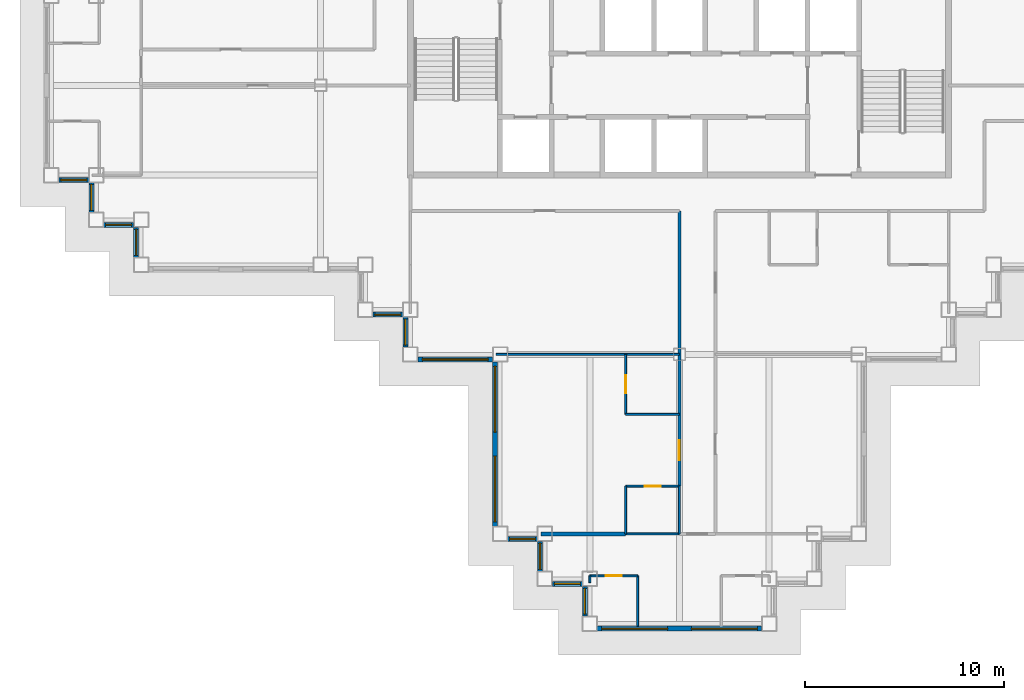
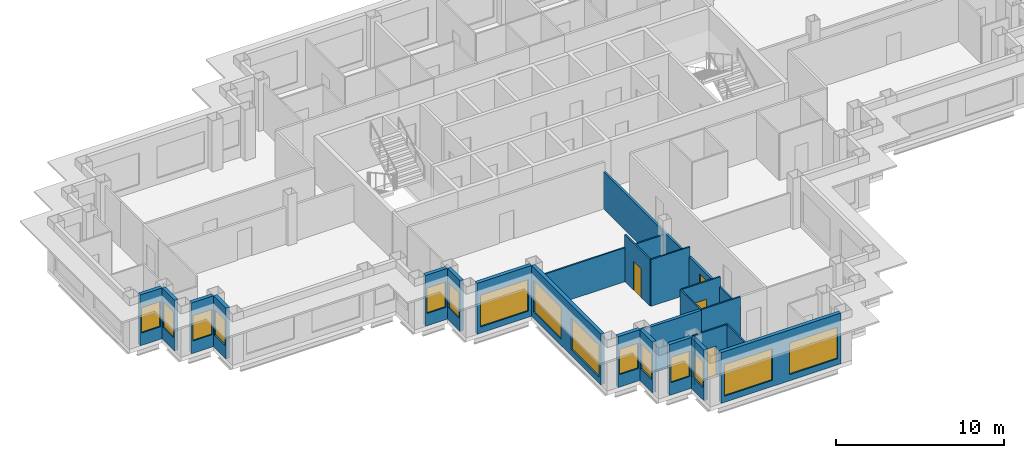
# One storey, part 3 of 13: 25 walls, 15 windows, 4 doors, 19 openings.
"""IFC4 building model written with IfcOpenShell, lengths in metres."""

from ifc_helpers import new_model, si_unit, direction, frame, frame_2d, origin, place, context, subcontext, project, spatial, rectangle, extrude, material, layer, layer_set, type_object, element, fill, save


model = new_model("IFC4")

# Units and contexts
model_context = context("Model", 3, precision=1e-05, world=origin(), true_north=direction((0.0, 1.0)))
body_context = subcontext(model_context, "Body", "Model", "MODEL_VIEW")
ifc_project = project(units=[si_unit("LENGTHUNIT", "METRE"), si_unit("AREAUNIT", "SQUARE_METRE"), si_unit("VOLUMEUNIT", "CUBIC_METRE"), si_unit("PLANEANGLEUNIT", "RADIAN"), si_unit("MASSUNIT", "GRAM", prefix="KILO")], contexts=[model_context])

# Site, building, storey
site_placement = place(None, origin())
site = spatial("IfcSite", under=ifc_project, at=site_placement, CompositionType="ELEMENT")
building_placement = place(site_placement, origin())
building = spatial("IfcBuilding", under=site, at=building_placement, Name="Caravel Reach Hotel and Residences", CompositionType="ELEMENT")
storey_placement = place(building_placement, frame((0.0, 0.0, 169.10009765625)))
storey = spatial("IfcBuildingStorey", under=building, at=storey_placement, Name="L42", CompositionType="ELEMENT", Elevation=169.10009765625)

# Wall, opening, door
ifc_material_1 = material(Name="Gypsum board on steel stud", Category="steel")
ifc_layer_1 = layer(ifc_material_1, 0.10009765625)
ifc_layer_set_1 = layer_set([ifc_layer_1], Name="Bathroom pod wall 100 mm")
wall_type_1 = type_object("IfcWallType", Name="Bathroom pod wall 100 mm", PredefinedType="PARTITIONING", material=ifc_layer_set_1)
wall_1_placement = place(storey_placement, frame((27.0, 2.39990234375, 0.0), z_axis=(0.0, 0.0, 1.0), x_axis=(1.0, 0.0, 0.0)))
wall_1 = element("IfcWall", 1, at=wall_1_placement, inside=storey, type_object=wall_type_1, Name="L42 wall w079", PredefinedType="PARTITIONING", context=body_context, shape_type="SweptSolid", body=[
    extrude(rectangle(XDim=2.39990234375, YDim=0.10009765625, at=frame_2d((1.199951171875, 0.0))), origin(), (0.0, 0.0, 1.0), 3.39990234375),
])
opening_1_placement = place(wall_1_placement, frame((0.800048828125, 0.0, 0.0)))
opening_1 = element("IfcOpeningElement", 2, at=opening_1_placement, cuts=wall_1, Name="Opening D42-047", PredefinedType="OPENING", context=body_context, shape_type="SweptSolid", body=[
    extrude(rectangle(XDim=0.800048828125, YDim=2.10009765625, at=frame_2d((0.39990234375, 1.050048828125))), frame((0.0, 0.06005859375, 0.0), z_axis=(0.0, -1.0, 0.0), x_axis=(1.0, 0.0, 0.0)), (0.0, 0.0, 1.0), 0.1201171875),
])
ifc_material_2 = material(Name="Timber and steel door leaf", Category="steel")
door_type_1 = type_object("IfcDoorType", Name="Bathroom door 800 x 2100", OperationType="SINGLE_SWING_LEFT", PredefinedType="DOOR", material=ifc_material_2)
door_1_placement = place(opening_1_placement, origin())
door_1 = element("IfcDoor", 3, at=door_1_placement, inside=storey, type_object=door_type_1, Name="door D42-047", OperationType="SINGLE_SWING_LEFT", OverallHeight=2.10009765625, OverallWidth=0.800048828125, PredefinedType="DOOR", context=body_context, shape_type="SweptSolid", body=[
    extrude(rectangle(XDim=0.800048828125, YDim=2.10009765625, at=frame_2d((0.39990234375, 1.050048828125))), frame((0.0, 0.02490234375, 0.0), z_axis=(0.0, -1.0, 0.0), x_axis=(1.0, 0.0, 0.0)), (0.0, 0.0, 1.0), 0.050048828125),
])
fill(opening_1, door_1)

# Wall
wall_2_placement = place(storey_placement, frame((28.800048828125, 4.5, 0.0), z_axis=(0.0, 0.0, 1.0), x_axis=(1.0, 0.0, 0.0)))
element("IfcWall", 4, at=wall_2_placement, inside=storey, type_object=wall_type_1, Name="L42 wall w089", PredefinedType="PARTITIONING", context=body_context, shape_type="SweptSolid", body=[
    extrude(rectangle(XDim=2.699951171875, YDim=0.10009765625, at=frame_2d((1.35009765625, 0.0))), origin(), (0.0, 0.0, 1.0), 3.39990234375),
])

# Wall, opening, door
wall_3_placement = place(storey_placement, frame((28.800048828125, 6.89990234375, 0.0), z_axis=(0.0, 0.0, 1.0), x_axis=(1.0, 0.0, 0.0)))
wall_3 = element("IfcWall", 5, at=wall_3_placement, inside=storey, type_object=wall_type_1, Name="L42 wall w090", PredefinedType="PARTITIONING", context=body_context, shape_type="SweptSolid", body=[
    extrude(rectangle(XDim=2.699951171875, YDim=0.10009765625, at=frame_2d((1.35009765625, 0.0))), origin(), (0.0, 0.0, 1.0), 3.39990234375),
])
opening_2_placement = place(wall_3_placement, frame((0.949951171875, 0.0, 0.0)))
opening_2 = element("IfcOpeningElement", 6, at=opening_2_placement, cuts=wall_3, Name="Opening D42-037", PredefinedType="OPENING", context=body_context, shape_type="SweptSolid", body=[
    extrude(rectangle(XDim=0.800048828125, YDim=2.10009765625, at=frame_2d((0.39990234375, 1.050048828125))), frame((0.0, 0.06005859375, 0.0), z_axis=(0.0, -1.0, 0.0), x_axis=(1.0, 0.0, 0.0)), (0.0, 0.0, 1.0), 0.1201171875),
])
door_2_placement = place(opening_2_placement, origin())
door_2 = element("IfcDoor", 7, at=door_2_placement, inside=storey, type_object=door_type_1, Name="door D42-037", OperationType="SINGLE_SWING_LEFT", OverallHeight=2.10009765625, OverallWidth=0.800048828125, PredefinedType="DOOR", context=body_context, shape_type="SweptSolid", body=[
    extrude(rectangle(XDim=0.800048828125, YDim=2.10009765625, at=frame_2d((0.39990234375, 1.050048828125))), frame((0.0, 0.02490234375, 0.0), z_axis=(0.0, -1.0, 0.0), x_axis=(1.0, 0.0, 0.0)), (0.0, 0.0, 1.0), 0.050048828125),
])
fill(opening_2, door_2)

# Walls
wall_4_placement = place(storey_placement, frame((27.0, 2.06005859375, 0.0), z_axis=(0.0, 0.0, 1.0), x_axis=(0.0, 1.0, 0.0)))
element("IfcWall", 8, at=wall_4_placement, inside=storey, type_object=wall_type_1, Name="L42 wall w094", PredefinedType="PARTITIONING", context=body_context, shape_type="SweptSolid", body=[
    extrude(rectangle(XDim=0.33984375, YDim=0.10009765625, at=frame_2d((0.169921875, 0.0))), origin(), (0.0, 0.0, 1.0), 3.39990234375),
])
wall_5_placement = place(storey_placement, frame((28.800048828125, 4.5, 0.0), z_axis=(0.0, 0.0, 1.0), x_axis=(0.0, 1.0, 0.0)))
element("IfcWall", 9, at=wall_5_placement, inside=storey, type_object=wall_type_1, Name="L42 wall w095", PredefinedType="PARTITIONING", context=body_context, shape_type="SweptSolid", body=[
    extrude(rectangle(XDim=2.39990234375, YDim=0.10009765625, at=frame_2d((1.199951171875, 0.0))), origin(), (0.0, 0.0, 1.0), 3.39990234375),
])
wall_6_placement = place(storey_placement, frame((29.39990234375, -0.125, 0.0), z_axis=(0.0, 0.0, 1.0), x_axis=(0.0, 1.0, 0.0)))
element("IfcWall", 10, at=wall_6_placement, inside=storey, type_object=wall_type_1, Name="L42 wall w096", PredefinedType="PARTITIONING", context=body_context, shape_type="SweptSolid", body=[
    extrude(rectangle(XDim=2.52490234375, YDim=0.10009765625, at=frame_2d((1.262451171875, 0.0))), origin(), (0.0, 0.0, 1.0), 3.39990234375),
])
wall_7_placement = place(storey_placement, frame((31.5, 4.5, 0.0), z_axis=(0.0, 0.0, 1.0), x_axis=(0.0, 1.0, 0.0)))
element("IfcWall", 11, at=wall_7_placement, inside=storey, type_object=wall_type_1, Name="L42 wall w097", PredefinedType="PARTITIONING", context=body_context, shape_type="SweptSolid", body=[
    extrude(rectangle(XDim=2.39990234375, YDim=0.10009765625, at=frame_2d((1.199951171875, 0.0))), origin(), (0.0, 0.0, 1.0), 2.679931640625),
])

# Wall, opening, door
ifc_material_3 = material(Name="Gypsum board on steel stud, fire-rated", Category="steel")
ifc_layer_2 = layer(ifc_material_3, 0.14990234375)
ifc_layer_set_2 = layer_set([ifc_layer_2], Name="Corridor wall 150 mm EI 60")
wall_type_2 = type_object("IfcWallType", Name="Corridor wall 150 mm EI 60", PredefinedType="PARTITIONING", material=ifc_layer_set_2)
wall_8_placement = place(storey_placement, frame((31.5, 6.89990234375, 0.0), z_axis=(0.0, 0.0, 1.0), x_axis=(0.0, 1.0, 0.0)))
wall_8 = element("IfcWall", 12, at=wall_8_placement, inside=storey, type_object=wall_type_2, Name="L42 wall w022", PredefinedType="PARTITIONING", context=body_context, shape_type="SweptSolid", body=[
    extrude(rectangle(XDim=13.800048828125, YDim=0.14990234375, at=frame_2d((6.89990234375, 0.0))), origin(), (0.0, 0.0, 1.0), 2.679931640625),
])
opening_3_placement = place(wall_8_placement, frame((1.300048828125, 0.0, 0.0)))
opening_3 = element("IfcOpeningElement", 13, at=opening_3_placement, cuts=wall_8, Name="Opening D42-036", PredefinedType="OPENING", context=body_context, shape_type="SweptSolid", body=[
    extrude(rectangle(XDim=1.0, YDim=2.199951171875, at=frame_2d((0.5, 1.10009765625))), frame((0.0, 0.0849609375, 0.0), z_axis=(0.0, -1.0, 0.0), x_axis=(1.0, 0.0, 0.0)), (0.0, 0.0, 1.0), 0.169921875),
])
ifc_material_4 = material(Name="Steel fire door leaf", Category="steel")
door_type_2 = type_object("IfcDoorType", Name="Flat entrance door 1000 x 2200 EI 60", OperationType="SINGLE_SWING_LEFT", PredefinedType="DOOR", material=ifc_material_4)
door_3_placement = place(opening_3_placement, origin())
door_3 = element("IfcDoor", 14, at=door_3_placement, inside=storey, type_object=door_type_2, Name="door D42-036", OperationType="SINGLE_SWING_LEFT", OverallHeight=2.199951171875, OverallWidth=1.0, PredefinedType="DOOR", context=body_context, shape_type="SweptSolid", body=[
    extrude(rectangle(XDim=1.0, YDim=2.199951171875, at=frame_2d((0.5, 1.10009765625))), frame((0.0, 0.02490234375, 0.0), z_axis=(0.0, -1.0, 0.0), x_axis=(1.0, 0.0, 0.0)), (0.0, 0.0, 1.0), 0.050048828125),
])
fill(opening_3, door_3)

# Wall, opening, window
ifc_material_5 = material(Name="Insulated rainscreen wall, aluminium cladding", Category="aluminium")
ifc_layer_3 = layer(ifc_material_5, 0.25)
ifc_layer_set_3 = layer_set([ifc_layer_3], Name="EW1 Tower rainscreen wall")
wall_type_3 = type_object("IfcWallType", Name="EW1 Tower rainscreen wall", PredefinedType="SOLIDWALL", material=ifc_layer_set_3)
wall_9_placement = place(storey_placement, frame((22.875, 4.25, 0.0), z_axis=(0.0, 0.0, 1.0), x_axis=(1.0, 0.0, 0.0)))
wall_9 = element("IfcWall", 15, at=wall_9_placement, inside=storey, type_object=wall_type_3, Name="External wall L42 S1.1", PredefinedType="SOLIDWALL", context=body_context, shape_type="SweptSolid", body=[
    extrude(rectangle(XDim=1.5, YDim=0.25, at=frame_2d((0.75, 0.0))), origin(), (0.0, 0.0, 1.0), 3.699951171875),
])
opening_4_placement = place(wall_9_placement, frame((0.10009765625, 0.0, 0.89990234375)))
opening_4 = element("IfcOpeningElement", 16, at=opening_4_placement, cuts=wall_9, Name="Opening WN16", PredefinedType="OPENING", context=body_context, shape_type="SweptSolid", body=[
    extrude(rectangle(XDim=1.300048828125, YDim=1.85009765625, at=frame_2d((0.64990234375, 0.925048828125))), frame((0.0, 0.135009765625, 0.0), z_axis=(0.0, -1.0, 0.0), x_axis=(1.0, 0.0, 0.0)), (0.0, 0.0, 1.0), 0.27001953125),
])
ifc_material_6 = material(Name="Dark low-e glazing in black aluminium frame", Category="aluminium")
window_type_1 = type_object("IfcWindowType", Name="Residence bedroom window 1300 x 1850", PartitioningType="SINGLE_PANEL", PredefinedType="WINDOW", material=ifc_material_6)
window_1_placement = place(opening_4_placement, origin())
window_1 = element("IfcWindow", 17, at=window_1_placement, inside=storey, type_object=window_type_1, Name="Window L42 S1.1.1", OverallHeight=1.85009765625, OverallWidth=1.300048828125, PartitioningType="SINGLE_PANEL", PredefinedType="WINDOW", context=body_context, shape_type="SweptSolid", body=[
    extrude(rectangle(XDim=1.300048828125, YDim=1.85009765625, at=frame_2d((0.64990234375, 0.925048828125))), frame((0.0, 0.030029296875, 0.0), z_axis=(0.0, -1.0, 0.0), x_axis=(1.0, 0.0, 0.0)), (0.0, 0.0, 1.0), 0.06005859375),
])
fill(opening_4, window_1)

wall_10_placement = place(storey_placement, frame((24.5, 4.125, 0.0), z_axis=(0.0, 0.0, 1.0), x_axis=(0.0, -1.0, 0.0)))
wall_10 = element("IfcWall", 18, at=wall_10_placement, inside=storey, type_object=wall_type_3, Name="External wall L42 W2.1", PredefinedType="SOLIDWALL", context=body_context, shape_type="SweptSolid", body=[
    extrude(rectangle(XDim=1.5, YDim=0.25, at=frame_2d((0.75, 0.0))), origin(), (0.0, 0.0, 1.0), 3.699951171875),
])
opening_5_placement = place(wall_10_placement, frame((0.10009765625, 0.0, 0.89990234375)))
opening_5 = element("IfcOpeningElement", 19, at=opening_5_placement, cuts=wall_10, Name="Opening WN16", PredefinedType="OPENING", context=body_context, shape_type="SweptSolid", body=[
    extrude(rectangle(XDim=1.300048828125, YDim=1.85009765625, at=frame_2d((0.64990234375, 0.925048828125))), frame((0.0, 0.135009765625, 0.0), z_axis=(0.0, -1.0, 0.0), x_axis=(1.0, 0.0, 0.0)), (0.0, 0.0, 1.0), 0.27001953125),
])
window_2_placement = place(opening_5_placement, origin())
window_2 = element("IfcWindow", 20, at=window_2_placement, inside=storey, type_object=window_type_1, Name="Window L42 W2.1.1", OverallHeight=1.85009765625, OverallWidth=1.300048828125, PartitioningType="SINGLE_PANEL", PredefinedType="WINDOW", context=body_context, shape_type="SweptSolid", body=[
    extrude(rectangle(XDim=1.300048828125, YDim=1.85009765625, at=frame_2d((0.64990234375, 0.925048828125))), frame((0.0, 0.030029296875, 0.0), z_axis=(0.0, -1.0, 0.0), x_axis=(1.0, 0.0, 0.0)), (0.0, 0.0, 1.0), 0.06005859375),
])
fill(opening_5, window_2)

wall_11_placement = place(storey_placement, frame((25.125, 2.0, 0.0), z_axis=(0.0, 0.0, 1.0), x_axis=(1.0, 0.0, 0.0)))
wall_11 = element("IfcWall", 21, at=wall_11_placement, inside=storey, type_object=wall_type_3, Name="External wall L42 S3.1", PredefinedType="SOLIDWALL", context=body_context, shape_type="SweptSolid", body=[
    extrude(rectangle(XDim=1.5, YDim=0.25, at=frame_2d((0.75, 0.0))), origin(), (0.0, 0.0, 1.0), 3.699951171875),
])
opening_6_placement = place(wall_11_placement, frame((0.10009765625, 0.0, 0.89990234375)))
opening_6 = element("IfcOpeningElement", 22, at=opening_6_placement, cuts=wall_11, Name="Opening WN16", PredefinedType="OPENING", context=body_context, shape_type="SweptSolid", body=[
    extrude(rectangle(XDim=1.300048828125, YDim=1.85009765625, at=frame_2d((0.64990234375, 0.925048828125))), frame((0.0, 0.135009765625, 0.0), z_axis=(0.0, -1.0, 0.0), x_axis=(1.0, 0.0, 0.0)), (0.0, 0.0, 1.0), 0.27001953125),
])
window_3_placement = place(opening_6_placement, origin())
window_3 = element("IfcWindow", 23, at=window_3_placement, inside=storey, type_object=window_type_1, Name="Window L42 S3.1.1", OverallHeight=1.85009765625, OverallWidth=1.300048828125, PartitioningType="SINGLE_PANEL", PredefinedType="WINDOW", context=body_context, shape_type="SweptSolid", body=[
    extrude(rectangle(XDim=1.300048828125, YDim=1.85009765625, at=frame_2d((0.64990234375, 0.925048828125))), frame((0.0, 0.030029296875, 0.0), z_axis=(0.0, -1.0, 0.0), x_axis=(1.0, 0.0, 0.0)), (0.0, 0.0, 1.0), 0.06005859375),
])
fill(opening_6, window_3)

wall_12_placement = place(storey_placement, frame((26.75, 1.875, 0.0), z_axis=(0.0, 0.0, 1.0), x_axis=(0.0, -1.0, 0.0)))
wall_12 = element("IfcWall", 24, at=wall_12_placement, inside=storey, type_object=wall_type_3, Name="External wall L42 W4.1", PredefinedType="SOLIDWALL", context=body_context, shape_type="SweptSolid", body=[
    extrude(rectangle(XDim=1.5, YDim=0.25, at=frame_2d((0.75, 0.0))), origin(), (0.0, 0.0, 1.0), 3.699951171875),
])
opening_7_placement = place(wall_12_placement, frame((0.10009765625, 0.0, 0.89990234375)))
opening_7 = element("IfcOpeningElement", 25, at=opening_7_placement, cuts=wall_12, Name="Opening WN16", PredefinedType="OPENING", context=body_context, shape_type="SweptSolid", body=[
    extrude(rectangle(XDim=1.300048828125, YDim=1.85009765625, at=frame_2d((0.64990234375, 0.925048828125))), frame((0.0, 0.135009765625, 0.0), z_axis=(0.0, -1.0, 0.0), x_axis=(1.0, 0.0, 0.0)), (0.0, 0.0, 1.0), 0.27001953125),
])
window_4_placement = place(opening_7_placement, origin())
window_4 = element("IfcWindow", 26, at=window_4_placement, inside=storey, type_object=window_type_1, Name="Window L42 W4.1.1", OverallHeight=1.85009765625, OverallWidth=1.300048828125, PartitioningType="SINGLE_PANEL", PredefinedType="WINDOW", context=body_context, shape_type="SweptSolid", body=[
    extrude(rectangle(XDim=1.300048828125, YDim=1.85009765625, at=frame_2d((0.64990234375, 0.925048828125))), frame((0.0, 0.030029296875, 0.0), z_axis=(0.0, -1.0, 0.0), x_axis=(1.0, 0.0, 0.0)), (0.0, 0.0, 1.0), 0.06005859375),
])
fill(opening_7, window_4)

# Wall, openings, windows
wall_13_placement = place(storey_placement, frame((27.375, -0.25, 0.0), z_axis=(0.0, 0.0, 1.0), x_axis=(1.0, 0.0, 0.0)))
wall_13 = element("IfcWall", 27, at=wall_13_placement, inside=storey, type_object=wall_type_3, Name="External wall L42 S5.1", PredefinedType="SOLIDWALL", context=body_context, shape_type="SweptSolid", body=[
    extrude(rectangle(XDim=8.25, YDim=0.25, at=frame_2d((4.125, 0.0))), origin(), (0.0, 0.0, 1.0), 3.699951171875),
])
opening_8_placement = place(wall_13_placement, frame((0.22509765625, 0.0, 0.449951171875)))
opening_8 = element("IfcOpeningElement", 28, at=opening_8_placement, cuts=wall_13, Name="Opening WN15", PredefinedType="OPENING", context=body_context, shape_type="SweptSolid", body=[
    extrude(rectangle(XDim=3.300048828125, YDim=2.300048828125, at=frame_2d((1.64990234375, 1.14990234375))), frame((0.0, 0.135009765625, 0.0), z_axis=(0.0, -1.0, 0.0), x_axis=(1.0, 0.0, 0.0)), (0.0, 0.0, 1.0), 0.27001953125),
])
opening_9_placement = place(wall_13_placement, frame((4.72509765625, 0.0, 0.449951171875)))
opening_9 = element("IfcOpeningElement", 29, at=opening_9_placement, cuts=wall_13, Name="Opening WN15", PredefinedType="OPENING", context=body_context, shape_type="SweptSolid", body=[
    extrude(rectangle(XDim=3.300048828125, YDim=2.300048828125, at=frame_2d((1.64990234375, 1.14990234375))), frame((0.0, 0.135009765625, 0.0), z_axis=(0.0, -1.0, 0.0), x_axis=(1.0, 0.0, 0.0)), (0.0, 0.0, 1.0), 0.27001953125),
])
ifc_material_7 = material(Name="Dark low-e glazing in black aluminium frame", Category="aluminium")
window_type_2 = type_object("IfcWindowType", Name="Residence living window 3300 x 2300", PartitioningType="SINGLE_PANEL", PredefinedType="WINDOW", material=ifc_material_7)
window_5_placement = place(opening_8_placement, origin())
window_5 = element("IfcWindow", 30, at=window_5_placement, inside=storey, type_object=window_type_2, Name="Window L42 S5.1.1", OverallHeight=2.300048828125, OverallWidth=3.300048828125, PartitioningType="SINGLE_PANEL", PredefinedType="WINDOW", context=body_context, shape_type="SweptSolid", body=[
    extrude(rectangle(XDim=3.300048828125, YDim=2.300048828125, at=frame_2d((1.64990234375, 1.14990234375))), frame((0.0, 0.030029296875, 0.0), z_axis=(0.0, -1.0, 0.0), x_axis=(1.0, 0.0, 0.0)), (0.0, 0.0, 1.0), 0.06005859375),
])
fill(opening_8, window_5)
window_6_placement = place(opening_9_placement, origin())
window_6 = element("IfcWindow", 31, at=window_6_placement, inside=storey, type_object=window_type_2, Name="Window L42 S5.1.2", OverallHeight=2.300048828125, OverallWidth=3.300048828125, PartitioningType="SINGLE_PANEL", PredefinedType="WINDOW", context=body_context, shape_type="SweptSolid", body=[
    extrude(rectangle(XDim=3.300048828125, YDim=2.300048828125, at=frame_2d((1.64990234375, 1.14990234375))), frame((0.0, 0.030029296875, 0.0), z_axis=(0.0, -1.0, 0.0), x_axis=(1.0, 0.0, 0.0)), (0.0, 0.0, 1.0), 0.06005859375),
])
fill(opening_9, window_6)

# Wall, opening, window
wall_14_placement = place(storey_placement, frame((0.375, 22.25, 0.0), z_axis=(0.0, 0.0, 1.0), x_axis=(1.0, 0.0, 0.0)))
wall_14 = element("IfcWall", 32, at=wall_14_placement, inside=storey, type_object=wall_type_3, Name="External wall L42 S39.1", PredefinedType="SOLIDWALL", context=body_context, shape_type="SweptSolid", body=[
    extrude(rectangle(XDim=1.5, YDim=0.25, at=frame_2d((0.75, 0.0))), origin(), (0.0, 0.0, 1.0), 3.699951171875),
])
opening_10_placement = place(wall_14_placement, frame((0.10009765625, 0.0, 0.89990234375)))
opening_10 = element("IfcOpeningElement", 33, at=opening_10_placement, cuts=wall_14, Name="Opening WN16", PredefinedType="OPENING", context=body_context, shape_type="SweptSolid", body=[
    extrude(rectangle(XDim=1.300048828125, YDim=1.85009765625, at=frame_2d((0.64990234375, 0.925048828125))), frame((0.0, 0.135009765625, 0.0), z_axis=(0.0, -1.0, 0.0), x_axis=(1.0, 0.0, 0.0)), (0.0, 0.0, 1.0), 0.27001953125),
])
window_7_placement = place(opening_10_placement, origin())
window_7 = element("IfcWindow", 34, at=window_7_placement, inside=storey, type_object=window_type_1, Name="Window L42 S39.1.1", OverallHeight=1.85009765625, OverallWidth=1.300048828125, PartitioningType="SINGLE_PANEL", PredefinedType="WINDOW", context=body_context, shape_type="SweptSolid", body=[
    extrude(rectangle(XDim=1.300048828125, YDim=1.85009765625, at=frame_2d((0.64990234375, 0.925048828125))), frame((0.0, 0.030029296875, 0.0), z_axis=(0.0, -1.0, 0.0), x_axis=(1.0, 0.0, 0.0)), (0.0, 0.0, 1.0), 0.06005859375),
])
fill(opening_10, window_7)

wall_15_placement = place(storey_placement, frame((2.0, 22.125, 0.0), z_axis=(0.0, 0.0, 1.0), x_axis=(0.0, -1.0, 0.0)))
wall_15 = element("IfcWall", 35, at=wall_15_placement, inside=storey, type_object=wall_type_3, Name="External wall L42 W40.1", PredefinedType="SOLIDWALL", context=body_context, shape_type="SweptSolid", body=[
    extrude(rectangle(XDim=1.5, YDim=0.25, at=frame_2d((0.75, 0.0))), origin(), (0.0, 0.0, 1.0), 3.699951171875),
])
opening_11_placement = place(wall_15_placement, frame((0.10009765625, 0.0, 0.89990234375)))
opening_11 = element("IfcOpeningElement", 36, at=opening_11_placement, cuts=wall_15, Name="Opening WN16", PredefinedType="OPENING", context=body_context, shape_type="SweptSolid", body=[
    extrude(rectangle(XDim=1.300048828125, YDim=1.85009765625, at=frame_2d((0.64990234375, 0.925048828125))), frame((0.0, 0.135009765625, 0.0), z_axis=(0.0, -1.0, 0.0), x_axis=(1.0, 0.0, 0.0)), (0.0, 0.0, 1.0), 0.27001953125),
])
window_8_placement = place(opening_11_placement, origin())
window_8 = element("IfcWindow", 37, at=window_8_placement, inside=storey, type_object=window_type_1, Name="Window L42 W40.1.1", OverallHeight=1.85009765625, OverallWidth=1.300048828125, PartitioningType="SINGLE_PANEL", PredefinedType="WINDOW", context=body_context, shape_type="SweptSolid", body=[
    extrude(rectangle(XDim=1.300048828125, YDim=1.85009765625, at=frame_2d((0.64990234375, 0.925048828125))), frame((0.0, 0.030029296875, 0.0), z_axis=(0.0, -1.0, 0.0), x_axis=(1.0, 0.0, 0.0)), (0.0, 0.0, 1.0), 0.06005859375),
])
fill(opening_11, window_8)

wall_16_placement = place(storey_placement, frame((2.625, 20.0, 0.0), z_axis=(0.0, 0.0, 1.0), x_axis=(1.0, 0.0, 0.0)))
wall_16 = element("IfcWall", 38, at=wall_16_placement, inside=storey, type_object=wall_type_3, Name="External wall L42 S41.1", PredefinedType="SOLIDWALL", context=body_context, shape_type="SweptSolid", body=[
    extrude(rectangle(XDim=1.5, YDim=0.25, at=frame_2d((0.75, 0.0))), origin(), (0.0, 0.0, 1.0), 3.699951171875),
])
opening_12_placement = place(wall_16_placement, frame((0.10009765625, 0.0, 0.89990234375)))
opening_12 = element("IfcOpeningElement", 39, at=opening_12_placement, cuts=wall_16, Name="Opening WN16", PredefinedType="OPENING", context=body_context, shape_type="SweptSolid", body=[
    extrude(rectangle(XDim=1.300048828125, YDim=1.85009765625, at=frame_2d((0.64990234375, 0.925048828125))), frame((0.0, 0.135009765625, 0.0), z_axis=(0.0, -1.0, 0.0), x_axis=(1.0, 0.0, 0.0)), (0.0, 0.0, 1.0), 0.27001953125),
])
window_9_placement = place(opening_12_placement, origin())
window_9 = element("IfcWindow", 40, at=window_9_placement, inside=storey, type_object=window_type_1, Name="Window L42 S41.1.1", OverallHeight=1.85009765625, OverallWidth=1.300048828125, PartitioningType="SINGLE_PANEL", PredefinedType="WINDOW", context=body_context, shape_type="SweptSolid", body=[
    extrude(rectangle(XDim=1.300048828125, YDim=1.85009765625, at=frame_2d((0.64990234375, 0.925048828125))), frame((0.0, 0.030029296875, 0.0), z_axis=(0.0, -1.0, 0.0), x_axis=(1.0, 0.0, 0.0)), (0.0, 0.0, 1.0), 0.06005859375),
])
fill(opening_12, window_9)

wall_17_placement = place(storey_placement, frame((4.25, 19.875, 0.0), z_axis=(0.0, 0.0, 1.0), x_axis=(0.0, -1.0, 0.0)))
wall_17 = element("IfcWall", 41, at=wall_17_placement, inside=storey, type_object=wall_type_3, Name="External wall L42 W42.1", PredefinedType="SOLIDWALL", context=body_context, shape_type="SweptSolid", body=[
    extrude(rectangle(XDim=1.5, YDim=0.25, at=frame_2d((0.75, 0.0))), origin(), (0.0, 0.0, 1.0), 3.699951171875),
])
opening_13_placement = place(wall_17_placement, frame((0.10009765625, 0.0, 0.89990234375)))
opening_13 = element("IfcOpeningElement", 42, at=opening_13_placement, cuts=wall_17, Name="Opening WN16", PredefinedType="OPENING", context=body_context, shape_type="SweptSolid", body=[
    extrude(rectangle(XDim=1.300048828125, YDim=1.85009765625, at=frame_2d((0.64990234375, 0.925048828125))), frame((0.0, 0.135009765625, 0.0), z_axis=(0.0, -1.0, 0.0), x_axis=(1.0, 0.0, 0.0)), (0.0, 0.0, 1.0), 0.27001953125),
])
window_10_placement = place(opening_13_placement, origin())
window_10 = element("IfcWindow", 43, at=window_10_placement, inside=storey, type_object=window_type_1, Name="Window L42 W42.1.1", OverallHeight=1.85009765625, OverallWidth=1.300048828125, PartitioningType="SINGLE_PANEL", PredefinedType="WINDOW", context=body_context, shape_type="SweptSolid", body=[
    extrude(rectangle(XDim=1.300048828125, YDim=1.85009765625, at=frame_2d((0.64990234375, 0.925048828125))), frame((0.0, 0.030029296875, 0.0), z_axis=(0.0, -1.0, 0.0), x_axis=(1.0, 0.0, 0.0)), (0.0, 0.0, 1.0), 0.06005859375),
])
fill(opening_13, window_10)

wall_18_placement = place(storey_placement, frame((16.125, 15.5, 0.0), z_axis=(0.0, 0.0, 1.0), x_axis=(1.0, 0.0, 0.0)))
wall_18 = element("IfcWall", 44, at=wall_18_placement, inside=storey, type_object=wall_type_3, Name="External wall L42 S45.1", PredefinedType="SOLIDWALL", context=body_context, shape_type="SweptSolid", body=[
    extrude(rectangle(XDim=1.5, YDim=0.25, at=frame_2d((0.75, 0.0))), origin(), (0.0, 0.0, 1.0), 3.699951171875),
])
opening_14_placement = place(wall_18_placement, frame((0.10009765625, 0.0, 0.89990234375)))
opening_14 = element("IfcOpeningElement", 45, at=opening_14_placement, cuts=wall_18, Name="Opening WN16", PredefinedType="OPENING", context=body_context, shape_type="SweptSolid", body=[
    extrude(rectangle(XDim=1.300048828125, YDim=1.85009765625, at=frame_2d((0.64990234375, 0.925048828125))), frame((0.0, 0.135009765625, 0.0), z_axis=(0.0, -1.0, 0.0), x_axis=(1.0, 0.0, 0.0)), (0.0, 0.0, 1.0), 0.27001953125),
])
window_11_placement = place(opening_14_placement, origin())
window_11 = element("IfcWindow", 46, at=window_11_placement, inside=storey, type_object=window_type_1, Name="Window L42 S45.1.1", OverallHeight=1.85009765625, OverallWidth=1.300048828125, PartitioningType="SINGLE_PANEL", PredefinedType="WINDOW", context=body_context, shape_type="SweptSolid", body=[
    extrude(rectangle(XDim=1.300048828125, YDim=1.85009765625, at=frame_2d((0.64990234375, 0.925048828125))), frame((0.0, 0.030029296875, 0.0), z_axis=(0.0, -1.0, 0.0), x_axis=(1.0, 0.0, 0.0)), (0.0, 0.0, 1.0), 0.06005859375),
])
fill(opening_14, window_11)

wall_19_placement = place(storey_placement, frame((17.75, 15.375, 0.0), z_axis=(0.0, 0.0, 1.0), x_axis=(0.0, -1.0, 0.0)))
wall_19 = element("IfcWall", 47, at=wall_19_placement, inside=storey, type_object=wall_type_3, Name="External wall L42 W46.1", PredefinedType="SOLIDWALL", context=body_context, shape_type="SweptSolid", body=[
    extrude(rectangle(XDim=1.5, YDim=0.25, at=frame_2d((0.75, 0.0))), origin(), (0.0, 0.0, 1.0), 3.699951171875),
])
opening_15_placement = place(wall_19_placement, frame((0.10009765625, 0.0, 0.89990234375)))
opening_15 = element("IfcOpeningElement", 48, at=opening_15_placement, cuts=wall_19, Name="Opening WN16", PredefinedType="OPENING", context=body_context, shape_type="SweptSolid", body=[
    extrude(rectangle(XDim=1.300048828125, YDim=1.85009765625, at=frame_2d((0.64990234375, 0.925048828125))), frame((0.0, 0.135009765625, 0.0), z_axis=(0.0, -1.0, 0.0), x_axis=(1.0, 0.0, 0.0)), (0.0, 0.0, 1.0), 0.27001953125),
])
window_12_placement = place(opening_15_placement, origin())
window_12 = element("IfcWindow", 49, at=window_12_placement, inside=storey, type_object=window_type_1, Name="Window L42 W46.1.1", OverallHeight=1.85009765625, OverallWidth=1.300048828125, PartitioningType="SINGLE_PANEL", PredefinedType="WINDOW", context=body_context, shape_type="SweptSolid", body=[
    extrude(rectangle(XDim=1.300048828125, YDim=1.85009765625, at=frame_2d((0.64990234375, 0.925048828125))), frame((0.0, 0.030029296875, 0.0), z_axis=(0.0, -1.0, 0.0), x_axis=(1.0, 0.0, 0.0)), (0.0, 0.0, 1.0), 0.06005859375),
])
fill(opening_15, window_12)

wall_20_placement = place(storey_placement, frame((18.375, 13.25, 0.0), z_axis=(0.0, 0.0, 1.0), x_axis=(1.0, 0.0, 0.0)))
wall_20 = element("IfcWall", 50, at=wall_20_placement, inside=storey, type_object=wall_type_3, Name="External wall L42 S47.1", PredefinedType="SOLIDWALL", context=body_context, shape_type="SweptSolid", body=[
    extrude(rectangle(XDim=3.75, YDim=0.25, at=frame_2d((1.875, 0.0))), origin(), (0.0, 0.0, 1.0), 3.699951171875),
])
opening_16_placement = place(wall_20_placement, frame((0.22509765625, 0.0, 0.449951171875)))
opening_16 = element("IfcOpeningElement", 51, at=opening_16_placement, cuts=wall_20, Name="Opening WN15", PredefinedType="OPENING", context=body_context, shape_type="SweptSolid", body=[
    extrude(rectangle(XDim=3.300048828125, YDim=2.300048828125, at=frame_2d((1.64990234375, 1.14990234375))), frame((0.0, 0.135009765625, 0.0), z_axis=(0.0, -1.0, 0.0), x_axis=(1.0, 0.0, 0.0)), (0.0, 0.0, 1.0), 0.27001953125),
])
window_13_placement = place(opening_16_placement, origin())
window_13 = element("IfcWindow", 52, at=window_13_placement, inside=storey, type_object=window_type_2, Name="Window L42 S47.1.1", OverallHeight=2.300048828125, OverallWidth=3.300048828125, PartitioningType="SINGLE_PANEL", PredefinedType="WINDOW", context=body_context, shape_type="SweptSolid", body=[
    extrude(rectangle(XDim=3.300048828125, YDim=2.300048828125, at=frame_2d((1.64990234375, 1.14990234375))), frame((0.0, 0.030029296875, 0.0), z_axis=(0.0, -1.0, 0.0), x_axis=(1.0, 0.0, 0.0)), (0.0, 0.0, 1.0), 0.06005859375),
])
fill(opening_16, window_13)

# Wall, openings, windows
wall_21_placement = place(storey_placement, frame((22.25, 13.125, 0.0), z_axis=(0.0, 0.0, 1.0), x_axis=(0.0, -1.0, 0.0)))
wall_21 = element("IfcWall", 53, at=wall_21_placement, inside=storey, type_object=wall_type_3, Name="External wall L42 W48.1", PredefinedType="SOLIDWALL", context=body_context, shape_type="SweptSolid", body=[
    extrude(rectangle(XDim=8.25, YDim=0.25, at=frame_2d((4.125, 0.0))), origin(), (0.0, 0.0, 1.0), 3.699951171875),
])
opening_17_placement = place(wall_21_placement, frame((0.22509765625, 0.0, 0.449951171875)))
opening_17 = element("IfcOpeningElement", 54, at=opening_17_placement, cuts=wall_21, Name="Opening WN15", PredefinedType="OPENING", context=body_context, shape_type="SweptSolid", body=[
    extrude(rectangle(XDim=3.300048828125, YDim=2.300048828125, at=frame_2d((1.64990234375, 1.14990234375))), frame((0.0, 0.135009765625, 0.0), z_axis=(0.0, -1.0, 0.0), x_axis=(1.0, 0.0, 0.0)), (0.0, 0.0, 1.0), 0.27001953125),
])
opening_18_placement = place(wall_21_placement, frame((4.72509765625, 0.0, 0.449951171875)))
opening_18 = element("IfcOpeningElement", 55, at=opening_18_placement, cuts=wall_21, Name="Opening WN15", PredefinedType="OPENING", context=body_context, shape_type="SweptSolid", body=[
    extrude(rectangle(XDim=3.300048828125, YDim=2.300048828125, at=frame_2d((1.64990234375, 1.14990234375))), frame((0.0, 0.135009765625, 0.0), z_axis=(0.0, -1.0, 0.0), x_axis=(1.0, 0.0, 0.0)), (0.0, 0.0, 1.0), 0.27001953125),
])
window_14_placement = place(opening_17_placement, origin())
window_14 = element("IfcWindow", 56, at=window_14_placement, inside=storey, type_object=window_type_2, Name="Window L42 W48.1.1", OverallHeight=2.300048828125, OverallWidth=3.300048828125, PartitioningType="SINGLE_PANEL", PredefinedType="WINDOW", context=body_context, shape_type="SweptSolid", body=[
    extrude(rectangle(XDim=3.300048828125, YDim=2.300048828125, at=frame_2d((1.64990234375, 1.14990234375))), frame((0.0, 0.030029296875, 0.0), z_axis=(0.0, -1.0, 0.0), x_axis=(1.0, 0.0, 0.0)), (0.0, 0.0, 1.0), 0.06005859375),
])
fill(opening_17, window_14)
window_15_placement = place(opening_18_placement, origin())
window_15 = element("IfcWindow", 57, at=window_15_placement, inside=storey, type_object=window_type_2, Name="Window L42 W48.1.2", OverallHeight=2.300048828125, OverallWidth=3.300048828125, PartitioningType="SINGLE_PANEL", PredefinedType="WINDOW", context=body_context, shape_type="SweptSolid", body=[
    extrude(rectangle(XDim=3.300048828125, YDim=2.300048828125, at=frame_2d((1.64990234375, 1.14990234375))), frame((0.0, 0.030029296875, 0.0), z_axis=(0.0, -1.0, 0.0), x_axis=(1.0, 0.0, 0.0)), (0.0, 0.0, 1.0), 0.06005859375),
])
fill(opening_18, window_15)

# Walls
ifc_material_8 = material(Name="Gypsum board on steel stud", Category="steel")
ifc_layer_4 = layer(ifc_material_8, 0.10009765625)
ifc_layer_set_4 = layer_set([ifc_layer_4], Name="Partition 100 mm")
wall_type_4 = type_object("IfcWallType", Name="Partition 100 mm", PredefinedType="PARTITIONING", material=ifc_layer_set_4)
wall_22_placement = place(storey_placement, frame((28.800048828125, 10.5, 0.0), z_axis=(0.0, 0.0, 1.0), x_axis=(1.0, 0.0, 0.0)))
element("IfcWall", 58, at=wall_22_placement, inside=storey, type_object=wall_type_4, Name="L42 wall w031", PredefinedType="PARTITIONING", context=body_context, shape_type="SweptSolid", body=[
    extrude(rectangle(XDim=2.699951171875, YDim=0.10009765625, at=frame_2d((1.35009765625, 0.0))), origin(), (0.0, 0.0, 1.0), 3.39990234375),
])
wall_23_placement = place(storey_placement, frame((22.31005859375, 13.5, 0.0), z_axis=(0.0, 0.0, 1.0), x_axis=(1.0, 0.0, 0.0)))
element("IfcWall", 59, at=wall_23_placement, inside=storey, type_object=wall_type_4, Name="L42 wall w034", PredefinedType="PARTITIONING", context=body_context, shape_type="SweptSolid", body=[
    extrude(rectangle(XDim=9.18994140625, YDim=0.10009765625, at=frame_2d((4.594970703125, 0.0))), origin(), (0.0, 0.0, 1.0), 2.47998046875),
])

# Wall, opening, door
wall_24_placement = place(storey_placement, frame((28.800048828125, 10.5, 0.0), z_axis=(0.0, 0.0, 1.0), x_axis=(0.0, 1.0, 0.0)))
wall_24 = element("IfcWall", 60, at=wall_24_placement, inside=storey, type_object=wall_type_4, Name="L42 wall w058", PredefinedType="PARTITIONING", context=body_context, shape_type="SweptSolid", body=[
    extrude(rectangle(XDim=3.0, YDim=0.10009765625, at=frame_2d((1.5, 0.0))), origin(), (0.0, 0.0, 1.0), 3.39990234375),
])
opening_19_placement = place(wall_24_placement, frame((1.050048828125, 0.0, 0.0)))
opening_19 = element("IfcOpeningElement", 61, at=opening_19_placement, cuts=wall_24, Name="Opening D42-038", PredefinedType="OPENING", context=body_context, shape_type="SweptSolid", body=[
    extrude(rectangle(XDim=0.89990234375, YDim=2.10009765625, at=frame_2d((0.449951171875, 1.050048828125))), frame((0.0, 0.06005859375, 0.0), z_axis=(0.0, -1.0, 0.0), x_axis=(1.0, 0.0, 0.0)), (0.0, 0.0, 1.0), 0.1201171875),
])
ifc_material_9 = material(Name="Timber and steel door leaf", Category="steel")
door_type_3 = type_object("IfcDoorType", Name="Door 900 x 2100 timber", OperationType="SINGLE_SWING_LEFT", PredefinedType="DOOR", material=ifc_material_9)
door_4_placement = place(opening_19_placement, origin())
door_4 = element("IfcDoor", 62, at=door_4_placement, inside=storey, type_object=door_type_3, Name="door D42-038", OperationType="SINGLE_SWING_LEFT", OverallHeight=2.10009765625, OverallWidth=0.89990234375, PredefinedType="DOOR", context=body_context, shape_type="SweptSolid", body=[
    extrude(rectangle(XDim=0.89990234375, YDim=2.10009765625, at=frame_2d((0.449951171875, 1.050048828125))), frame((0.0, 0.02490234375, 0.0), z_axis=(0.0, -1.0, 0.0), x_axis=(1.0, 0.0, 0.0)), (0.0, 0.0, 1.0), 0.050048828125),
])
fill(opening_19, door_4)

# Wall
ifc_material_10 = material(Name="Autoclaved aerated block wall")
ifc_layer_5 = layer(ifc_material_10, 0.199951171875)
ifc_layer_set_5 = layer_set([ifc_layer_5], Name="Party wall 200 mm EI 60")
wall_type_5 = type_object("IfcWallType", Name="Party wall 200 mm EI 60", PredefinedType="PARTITIONING", material=ifc_layer_set_5)
wall_25_placement = place(storey_placement, frame((24.56005859375, 4.5, 0.0), z_axis=(0.0, 0.0, 1.0), x_axis=(1.0, 0.0, 0.0)))
element("IfcWall", 63, at=wall_25_placement, inside=storey, type_object=wall_type_5, Name="L42 wall w075", PredefinedType="PARTITIONING", context=body_context, shape_type="SweptSolid", body=[
    extrude(rectangle(XDim=4.239990234375, YDim=0.199951171875, at=frame_2d((2.1201171875, 0.0))), origin(), (0.0, 0.0, 1.0), 3.39990234375),
])

save(model, "model.ifc")
